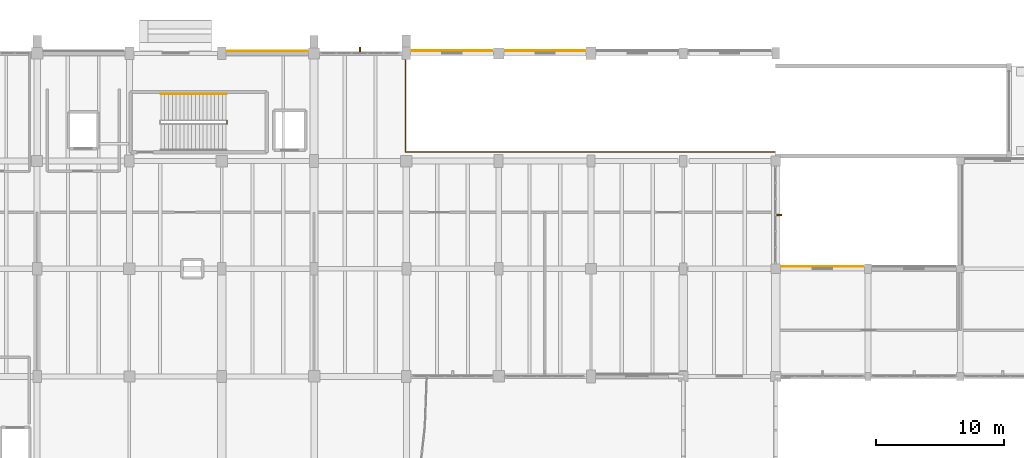
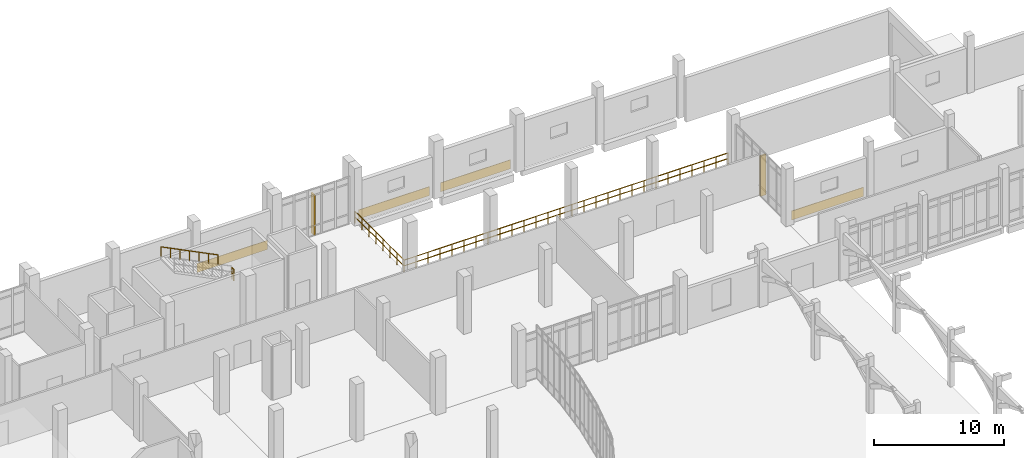
# One storey, part 107 of 110: 4 coverings, 3 railings, 2 shading devices.
"""IFC4 building model written with IfcOpenShell, lengths in metres."""

from ifc_helpers import new_model, si_unit, direction, frame, origin, origin_2d, place, context, subcontext, project, spatial, rectangle, circle, extrude, material, layer, layer_set, type_object, element, save


model = new_model("IFC4")

# Units and contexts
model_context = context("Model", 3, precision=1e-05, world=origin(), true_north=direction((0.0, 1.0)))
body_context = subcontext(model_context, "Body", "Model", "MODEL_VIEW")
ifc_project = project(units=[si_unit("LENGTHUNIT", "METRE"), si_unit("AREAUNIT", "SQUARE_METRE"), si_unit("VOLUMEUNIT", "CUBIC_METRE"), si_unit("PLANEANGLEUNIT", "RADIAN"), si_unit("MASSUNIT", "GRAM", prefix="KILO")], contexts=[model_context])

# Site, building, storey
site_placement = place(None, origin())
site = spatial("IfcSite", under=ifc_project, at=site_placement, CompositionType="ELEMENT")
building_placement = place(site_placement, origin())
building = spatial("IfcBuilding", under=site, at=building_placement, Name="Kalluvel Institute of Natural Sciences", CompositionType="ELEMENT")
storey_placement = place(building_placement, origin())
storey = spatial("IfcBuildingStorey", under=building, at=storey_placement, Name="L00", CompositionType="ELEMENT", Elevation=0.0)

# Coverings
ifc_material_1 = material(Name="Sadarahalli Grey Granite Ashlar Concrete M40", Category="masonry")
ifc_layer = layer(ifc_material_1, 0.044921875)
ifc_layer_set = layer_set([ifc_layer], Name="Sadarahalli Grey Granite Ashlar Concrete M40")
covering_type = type_object("IfcCoveringType", Name="COV-CLAD-STONE", PredefinedType="CLADDING", material=ifc_layer_set)
for number, where, z_axis, x_axis, name in (
    (1, (75.14990234375, 128.179931640625, 0.02490234375), (0.0, 0.0, 1.0), (1.0, 0.0, 0.0), "L00 Sadarahalli granite plinth spandrel cladding 5"),
    (2, (89.550048828125, 128.199951171875, 0.02490234375), (0.0, 0.0, 1.0), (1.0, 0.0, 0.0), "L00 Sadarahalli granite plinth spandrel cladding 6"),
):
    element("IfcCovering", number, at=place(storey_placement, frame(where, z_axis=z_axis, x_axis=x_axis)), inside=storey, type_object=covering_type, Name=name, PredefinedType="CLADDING", context=body_context, shape_type="SweptSolid", body=[
        extrude(rectangle(XDim=6.2900390625, YDim=0.044921875, at=origin_2d()), origin(), (0.0, 0.0, 1.0), 0.85009765625),
    ])
covering_1_placement = place(storey_placement, frame((96.824951171875, 128.199951171875, 0.02490234375), z_axis=(0.0, 0.0, 1.0), x_axis=(1.0, 0.0, 0.0)))
element("IfcCovering", 3, at=covering_1_placement, inside=storey, type_object=covering_type, Name="L00 Sadarahalli granite plinth spandrel cladding 7", PredefinedType="CLADDING", context=body_context, shape_type="SweptSolid", body=[
    extrude(rectangle(XDim=6.239990234375, YDim=0.044921875, at=origin_2d()), origin(), (0.0, 0.0, 1.0), 0.85009765625),
])
covering_2_placement = place(storey_placement, frame((118.449951171875, 111.3798828125, 0.02490234375), z_axis=(0.0, 0.0, 1.0), x_axis=(1.0, 0.0, 0.0)))
element("IfcCovering", 4, at=covering_2_placement, inside=storey, type_object=covering_type, Name="L00 Sadarahalli granite plinth spandrel cladding 336", PredefinedType="CLADDING", context=body_context, shape_type="SweptSolid", body=[
    extrude(rectangle(XDim=6.389892578125, YDim=0.044921875, at=origin_2d()), origin(), (0.0, 0.0, 1.0), 0.85009765625),
])

# Railings
ifc_material_2 = material(Name="Galvanized Fire-Rated Steel", Category="steel")
railing_type_1 = type_object("IfcRailingType", Name="RL-GD-ATRIUM", PredefinedType="BALUSTRADE", material=ifc_material_2)
railing_1_placement = place(storey_placement, frame((114.75, 120.320068359375, 0.0)))
element("IfcRailing", 5, at=railing_1_placement, inside=storey, type_object=railing_type_1, Name="L00 vehicle ramp void perimeter safety balustrade", PredefinedType="BALUSTRADE", context=body_context, shape_type="SweptSolid", body=[
    extrude(circle(Radius=0.02392578125, at=origin_2d()), frame((0.0, 0.0, 1.09619140625), z_axis=(-1.0, 0.0, 0.0), x_axis=(0.0, -1.0, 0.0)), (0.0, 0.0, 1.0), 28.830078125),
    extrude(circle(Radius=0.02392578125, at=origin_2d()), frame((0.0, 0.0, 0.56005859375), z_axis=(-1.0, 0.0, 0.0), x_axis=(0.0, -1.0, 0.0)), (0.0, 0.0, 1.0), 28.830078125),
    extrude(circle(Radius=0.02392578125, at=origin_2d()), frame((-28.830078125, 0.0, 1.09619140625), z_axis=(0.0, 1.0, 0.0), x_axis=(-1.0, 0.0, 0.0)), (0.0, 0.0, 1.0), 7.579833984375),
    extrude(circle(Radius=0.02392578125, at=origin_2d()), frame((-28.830078125, 0.0, 0.56005859375), z_axis=(0.0, 1.0, 0.0), x_axis=(-1.0, 0.0, 0.0)), (0.0, 0.0, 1.0), 7.579833984375),
    extrude(circle(Radius=0.02099609375, at=origin_2d()), origin(), (0.0, 0.0, 1.0), 1.072021484375),
    extrude(circle(Radius=0.02099609375, at=origin_2d()), frame((-1.06787109375, 0.0, 0.0)), (0.0, 0.0, 1.0), 1.072021484375),
    extrude(circle(Radius=0.02099609375, at=origin_2d()), frame((-2.135498046875, 0.0, 0.0)), (0.0, 0.0, 1.0), 1.072021484375),
    extrude(circle(Radius=0.02099609375, at=origin_2d()), frame((-3.203369140625, 0.0, 0.0)), (0.0, 0.0, 1.0), 1.072021484375),
    extrude(circle(Radius=0.02099609375, at=origin_2d()), frame((-4.271240234375, 0.0, 0.0)), (0.0, 0.0, 1.0), 1.072021484375),
    extrude(circle(Radius=0.02099609375, at=origin_2d()), frame((-5.3388671875, 0.0, 0.0)), (0.0, 0.0, 1.0), 1.072021484375),
    extrude(circle(Radius=0.02099609375, at=origin_2d()), frame((-6.40673828125, 0.0, 0.0)), (0.0, 0.0, 1.0), 1.072021484375),
    extrude(circle(Radius=0.02099609375, at=origin_2d()), frame((-7.474365234375, 0.0, 0.0)), (0.0, 0.0, 1.0), 1.072021484375),
    extrude(circle(Radius=0.02099609375, at=origin_2d()), frame((-8.542236328125, 0.0, 0.0)), (0.0, 0.0, 1.0), 1.072021484375),
    extrude(circle(Radius=0.02099609375, at=origin_2d()), frame((-9.610107421875, 0.0, 0.0)), (0.0, 0.0, 1.0), 1.072021484375),
    extrude(circle(Radius=0.02099609375, at=origin_2d()), frame((-10.677734375, 0.0, 0.0)), (0.0, 0.0, 1.0), 1.072021484375),
    extrude(circle(Radius=0.02099609375, at=origin_2d()), frame((-11.74560546875, 0.0, 0.0)), (0.0, 0.0, 1.0), 1.072021484375),
    extrude(circle(Radius=0.02099609375, at=origin_2d()), frame((-12.8134765625, 0.0, 0.0)), (0.0, 0.0, 1.0), 1.072021484375),
    extrude(circle(Radius=0.02099609375, at=origin_2d()), frame((-13.881103515625, 0.0, 0.0)), (0.0, 0.0, 1.0), 1.072021484375),
    extrude(circle(Radius=0.02099609375, at=origin_2d()), frame((-14.948974609375, 0.0, 0.0)), (0.0, 0.0, 1.0), 1.072021484375),
    extrude(circle(Radius=0.02099609375, at=origin_2d()), frame((-16.0166015625, 0.0, 0.0)), (0.0, 0.0, 1.0), 1.072021484375),
    extrude(circle(Radius=0.02099609375, at=origin_2d()), frame((-17.08447265625, 0.0, 0.0)), (0.0, 0.0, 1.0), 1.072021484375),
    extrude(circle(Radius=0.02099609375, at=origin_2d()), frame((-18.15234375, 0.0, 0.0)), (0.0, 0.0, 1.0), 1.072021484375),
    extrude(circle(Radius=0.02099609375, at=origin_2d()), frame((-19.219970703125, 0.0, 0.0)), (0.0, 0.0, 1.0), 1.072021484375),
    extrude(circle(Radius=0.02099609375, at=origin_2d()), frame((-20.287841796875, 0.0, 0.0)), (0.0, 0.0, 1.0), 1.072021484375),
    extrude(circle(Radius=0.02099609375, at=origin_2d()), frame((-21.355712890625, 0.0, 0.0)), (0.0, 0.0, 1.0), 1.072021484375),
    extrude(circle(Radius=0.02099609375, at=origin_2d()), frame((-22.42333984375, 0.0, 0.0)), (0.0, 0.0, 1.0), 1.072021484375),
    extrude(circle(Radius=0.02099609375, at=origin_2d()), frame((-23.4912109375, 0.0, 0.0)), (0.0, 0.0, 1.0), 1.072021484375),
    extrude(circle(Radius=0.02099609375, at=origin_2d()), frame((-24.558837890625, 0.0, 0.0)), (0.0, 0.0, 1.0), 1.072021484375),
    extrude(circle(Radius=0.02099609375, at=origin_2d()), frame((-25.626708984375, 0.0, 0.0)), (0.0, 0.0, 1.0), 1.072021484375),
    extrude(circle(Radius=0.02099609375, at=origin_2d()), frame((-26.694580078125, 0.0, 0.0)), (0.0, 0.0, 1.0), 1.072021484375),
    extrude(circle(Radius=0.02099609375, at=origin_2d()), frame((-27.76220703125, 0.0, 0.0)), (0.0, 0.0, 1.0), 1.072021484375),
    extrude(circle(Radius=0.02099609375, at=origin_2d()), frame((-28.830078125, 0.0, 0.0)), (0.0, 0.0, 1.0), 1.072021484375),
    extrude(circle(Radius=0.02099609375, at=origin_2d()), frame((-28.830078125, 1.082763671875, 0.0)), (0.0, 0.0, 1.0), 1.072021484375),
    extrude(circle(Radius=0.02099609375, at=origin_2d()), frame((-28.830078125, 2.165771484375, 0.0)), (0.0, 0.0, 1.0), 1.072021484375),
    extrude(circle(Radius=0.02099609375, at=origin_2d()), frame((-28.830078125, 3.24853515625, 0.0)), (0.0, 0.0, 1.0), 1.072021484375),
    extrude(circle(Radius=0.02099609375, at=origin_2d()), frame((-28.830078125, 4.331298828125, 0.0)), (0.0, 0.0, 1.0), 1.072021484375),
    extrude(circle(Radius=0.02099609375, at=origin_2d()), frame((-28.830078125, 5.4140625, 0.0)), (0.0, 0.0, 1.0), 1.072021484375),
    extrude(circle(Radius=0.02099609375, at=origin_2d()), frame((-28.830078125, 6.4970703125, 0.0)), (0.0, 0.0, 1.0), 1.072021484375),
    extrude(circle(Radius=0.02099609375, at=origin_2d()), frame((-28.830078125, 7.579833984375, 0.0)), (0.0, 0.0, 1.0), 1.072021484375),
])
railing_type_2 = type_object("IfcRailingType", Name="RL-GD-STAIR", PredefinedType="BALUSTRADE", material=ifc_material_2)
railing_2_placement = place(storey_placement, frame((72.0, 122.4951171875, 2.699951171875)))
element("IfcRailing", 6, at=railing_2_placement, inside=storey, type_object=railing_type_2, Name="L00 ST2 stair guard 2", PredefinedType="BALUSTRADE", context=body_context, shape_type="SweptSolid", body=[
    extrude(circle(Radius=0.02392578125, at=origin_2d()), frame((0.0, 0.0, 1.09619140625), z_axis=(0.0, 1.0, 0.0), x_axis=(-1.0, 0.0, 0.0)), (0.0, 0.0, 1.0), 0.27978515625),
    extrude(circle(Radius=0.02392578125, at=origin_2d()), frame((0.0, 0.0, 0.56005859375), z_axis=(0.0, 1.0, 0.0), x_axis=(-1.0, 0.0, 0.0)), (0.0, 0.0, 1.0), 0.27978515625),
    extrude(circle(Radius=0.02099609375, at=origin_2d()), origin(), (0.0, 0.0, 1.0), 1.072021484375),
    extrude(circle(Radius=0.02099609375, at=origin_2d()), frame((0.0, 0.27978515625, 0.0)), (0.0, 0.0, 1.0), 1.072021484375),
])
railing_type_3 = type_object("IfcRailingType", Name="RL-HR-STAIR", PredefinedType="HANDRAIL", material=ifc_material_2)
railing_3_placement = place(storey_placement, frame((71.949951171875, 124.820068359375, 2.85009765625)))
element("IfcRailing", 7, at=railing_3_placement, inside=storey, type_object=railing_type_3, Name="L00 ST2 stair handrail 2", PredefinedType="HANDRAIL", context=body_context, shape_type="SweptSolid", body=[
    extrude(circle(Radius=0.02392578125, at=origin_2d()), frame((0.0, 0.0, 0.89599609375), z_axis=(-0.894435754537, 0.0, 0.447196468016), x_axis=(0.0, -1.0, 0.0)), (0.0, 0.0, 1.0), 5.70166015625),
    extrude(circle(Radius=0.02099609375, at=origin_2d()), origin(), (0.0, 0.0, 1.0), 0.871826171875),
    extrude(circle(Radius=0.02099609375, at=origin_2d()), frame((-0.85009765625, 0.0, 0.425048828125)), (0.0, 0.0, 1.0), 0.871826171875),
    extrude(circle(Radius=0.02099609375, at=origin_2d()), frame((-1.699951171875, 0.0, 0.849853515625)), (0.0, 0.0, 1.0), 0.871826171875),
    extrude(circle(Radius=0.02099609375, at=origin_2d()), frame((-2.5498046875, 0.0, 1.27490234375)), (0.0, 0.0, 1.0), 0.871826171875),
    extrude(circle(Radius=0.02099609375, at=origin_2d()), frame((-3.39990234375, 0.0, 1.699951171875)), (0.0, 0.0, 1.0), 0.871826171875),
    extrude(circle(Radius=0.02099609375, at=origin_2d()), frame((-4.25, 0.0, 2.124755859375)), (0.0, 0.0, 1.0), 0.871826171875),
    extrude(circle(Radius=0.02099609375, at=origin_2d()), frame((-5.099853515625, 0.0, 2.5498046875)), (0.0, 0.0, 1.0), 0.871826171875),
])

# Shading devices
shading_device_type = type_object("IfcShadingDeviceType", Name="SHD-FIN-STONE", PredefinedType="USERDEFINED", material=ifc_material_1)
for number, where, z_axis, x_axis, name in (
    (8, (82.375, 128.219970703125, 0.0), (0.0, 0.0, 1.0), (1.0, 0.0, 0.0), "L00 monsoon lancet shading fin 3"),
    (9, (115.02001953125, 115.39990234375, 0.0), (0.0, 0.0, 1.0), (0.0, 1.0, 0.0), "L00 monsoon lancet shading fin 6"),
):
    element("IfcShadingDevice", number, at=place(storey_placement, frame(where, z_axis=z_axis, x_axis=x_axis)), inside=storey, type_object=shading_device_type, Name=name, ObjectType="MONSOON FIN", PredefinedType="USERDEFINED", context=body_context, shape_type="SweptSolid", body=[
        extrude(rectangle(XDim=0.139892578125, YDim=0.47998046875, at=origin_2d()), origin(), (0.0, 0.0, 1.0), 3.800048828125),
    ])

save(model, "model.ifc")
